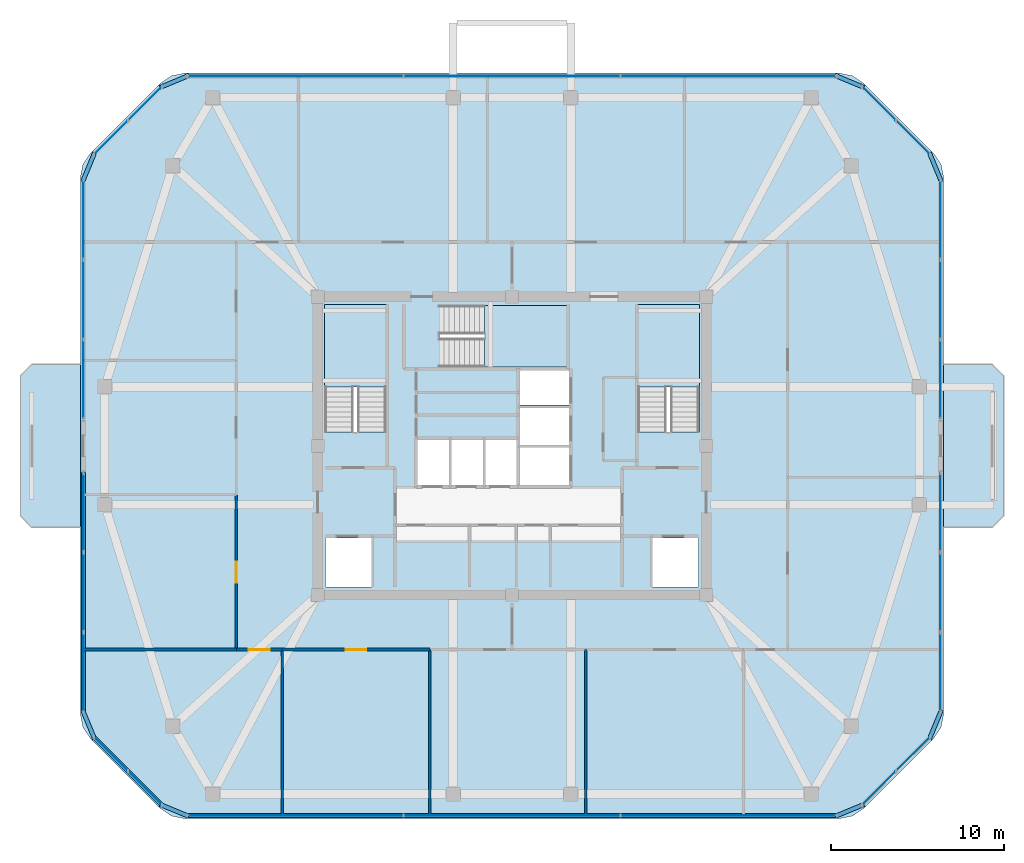
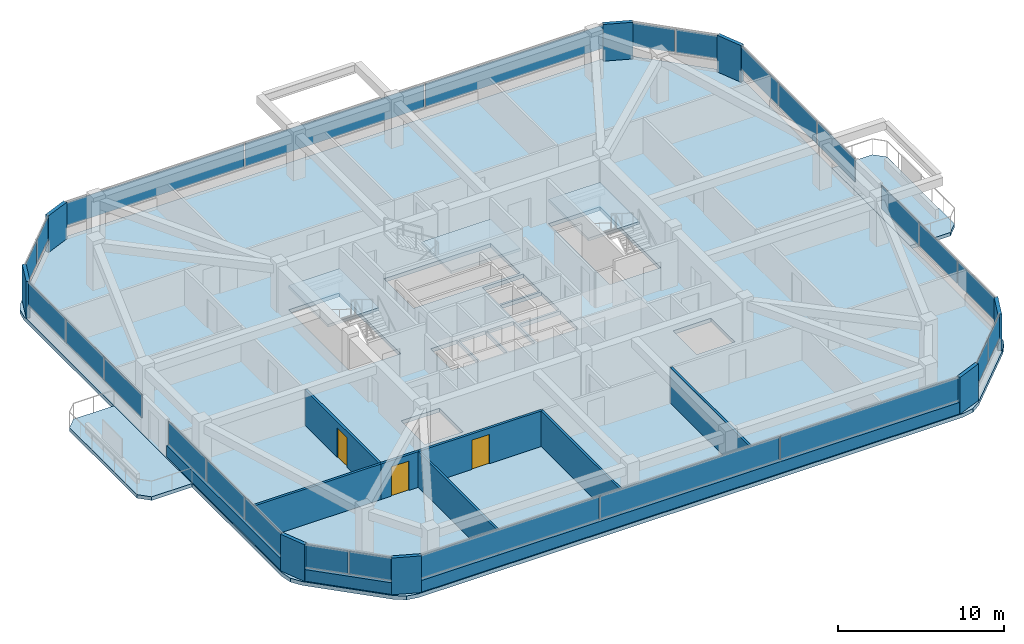
# One storey, part 8 of 13: 34 plates, 10 walls, 6 slabs, 3 doors, 3 openings, 13 elements without a shape of their own.
"""IFC4 building model written with IfcOpenShell, lengths in metres."""

from ifc_helpers import new_model, si_unit, derived_unit, direction, frame, frame_2d, origin, origin_2d, place, context, subcontext, project, spatial, polyline, rectangle, outline, extrude, material, layer, layer_set, type_object, element, fill, aggregate, save


model = new_model("IFC4")

# Units and contexts
model_context = context("Model", 3, precision=1e-05, world=origin(), true_north=direction((0.0, 1.0)))
body_context = subcontext(model_context, "Body", "Model", "MODEL_VIEW")
ifc_project = project(units=[si_unit("LENGTHUNIT", "METRE"), si_unit("AREAUNIT", "SQUARE_METRE"), si_unit("VOLUMEUNIT", "CUBIC_METRE"), si_unit("PLANEANGLEUNIT", "RADIAN"), si_unit("MASSUNIT", "GRAM", prefix="KILO"), derived_unit("THERMALTRANSMITTANCEUNIT", [(si_unit("POWERUNIT", "WATT"), 1), (si_unit("LENGTHUNIT", "METRE"), -2), (si_unit("THERMODYNAMICTEMPERATUREUNIT", "KELVIN"), -1)])], contexts=[model_context])

# Site, building, storey
site_placement = place(None, origin())
site = spatial("IfcSite", under=ifc_project, at=site_placement, CompositionType="ELEMENT")
building_placement = place(site_placement, origin())
building = spatial("IfcBuilding", under=site, at=building_placement, Name="Koralith Skygarden Medical Center", CompositionType="ELEMENT")
storey_placement = place(building_placement, frame((0.0, 0.0, 271.6201171875)))
storey = spatial("IfcBuildingStorey", under=building, at=storey_placement, Name="L70", CompositionType="ELEMENT", Elevation=271.6201171875)

# Curtain wall, plates
ifc_material_1 = material(Name="Clear Laminated Glass", Category="glass")
curtain_wall_type = type_object("IfcCurtainWallType", Name="CW-6 Zone 5 Upper Clinical Curtain Wall", PredefinedType="NOTDEFINED", material=ifc_material_1)
curtain_wall_1_placement = place(storey_placement, origin())
curtain_wall_1 = element("IfcCurtainWall", 1, at=curtain_wall_1_placement, inside=storey, type_object=curtain_wall_type, Name="Curtain Wall CW-L70-S", PredefinedType="NOTDEFINED")
ifc_layer_1 = layer(ifc_material_1, 0.0400390625)
ifc_layer_set_1 = layer_set([ifc_layer_1], Name="Clear Laminated Glass")
plate_type_1 = type_object("IfcPlateType", Name="CW-6 Hurricane Laminated IGU Panel 40", PredefinedType="CURTAIN_PANEL", material=ifc_layer_set_1)
plate_1_placement = place(storey_placement, frame((24.5029296875, 4.580078125, 0.919921875), z_axis=(0.0, 0.0, 1.0), x_axis=(1.0, 0.0, 0.0)))
plate_1 = element("IfcPlate", 2, at=plate_1_placement, type_object=plate_type_1, Name="CW-L70-S Glazed Panel 1", PredefinedType="CURTAIN_PANEL", context=body_context, shape_type="SweptSolid", body=[
    extrude(rectangle(XDim=12.406982421875, YDim=0.0400390625, at=origin_2d()), origin(), (0.0, 0.0, 1.0), 1.699951171875),
])
plate_2_placement = place(storey_placement, frame((37.0, 4.580078125, 0.919921875), z_axis=(0.0, 0.0, 1.0), x_axis=(1.0, 0.0, 0.0)))
plate_2 = element("IfcPlate", 3, at=plate_2_placement, type_object=plate_type_1, Name="CW-L70-S Glazed Panel 2", PredefinedType="CURTAIN_PANEL", context=body_context, shape_type="SweptSolid", body=[
    extrude(rectangle(XDim=12.406982421875, YDim=0.0400390625, at=origin_2d()), origin(), (0.0, 0.0, 1.0), 1.699951171875),
])
plate_3_placement = place(storey_placement, frame((49.4970703125, 4.580078125, 0.919921875), z_axis=(0.0, 0.0, 1.0), x_axis=(1.0, 0.0, 0.0)))
plate_3 = element("IfcPlate", 4, at=plate_3_placement, type_object=plate_type_1, Name="CW-L70-S Glazed Panel 3", PredefinedType="CURTAIN_PANEL", context=body_context, shape_type="SweptSolid", body=[
    extrude(rectangle(XDim=12.406982421875, YDim=0.0400390625, at=origin_2d()), origin(), (0.0, 0.0, 1.0), 1.699951171875),
])
aggregate(curtain_wall_1, [plate_1, plate_2, plate_3])

curtain_wall_2_placement = place(storey_placement, origin())
curtain_wall_2 = element("IfcCurtainWall", 5, at=curtain_wall_2_placement, inside=storey, type_object=curtain_wall_type, Name="Curtain Wall CW-L70-SE", PredefinedType="NOTDEFINED")
plate_4_placement = place(storey_placement, frame((58.177001953125, 6.162109375, 0.919921875), z_axis=(0.0, 0.0, 1.0), x_axis=(0.707106781187, 0.707106781187, 0.0)))
plate_4 = element("IfcPlate", 6, at=plate_4_placement, type_object=plate_type_1, Name="CW-L70-SE Glazed Panel 1", PredefinedType="CURTAIN_PANEL", context=body_context, shape_type="SweptSolid", body=[
    extrude(rectangle(XDim=2.68408203125, YDim=0.0400390625, at=origin_2d()), origin(), (0.0, 0.0, 1.0), 1.699951171875),
])
plate_5_placement = place(storey_placement, frame((60.137939453125, 8.123046875, 0.919921875), z_axis=(0.0, 0.0, 1.0), x_axis=(0.707106781187, 0.707106781187, 0.0)))
plate_5 = element("IfcPlate", 7, at=plate_5_placement, type_object=plate_type_1, Name="CW-L70-SE Glazed Panel 2", PredefinedType="CURTAIN_PANEL", context=body_context, shape_type="SweptSolid", body=[
    extrude(rectangle(XDim=2.68408203125, YDim=0.0400390625, at=origin_2d()), origin(), (0.0, 0.0, 1.0), 1.699951171875),
])
aggregate(curtain_wall_2, [plate_4, plate_5])

curtain_wall_3_placement = place(storey_placement, origin())
curtain_wall_3 = element("IfcCurtainWall", 8, at=curtain_wall_3_placement, inside=storey, type_object=curtain_wall_type, Name="Curtain Wall CW-L70-E-L", PredefinedType="NOTDEFINED")
plate_6_placement = place(storey_placement, frame((61.719970703125, 12.85595703125, 0.919921875), z_axis=(0.0, 0.0, 1.0), x_axis=(0.0, 1.0, 0.0)))
plate_6 = element("IfcPlate", 9, at=plate_6_placement, type_object=plate_type_1, Name="CW-L70-E-L Glazed Panel 1", PredefinedType="CURTAIN_PANEL", context=body_context, shape_type="SweptSolid", body=[
    extrude(rectangle(XDim=4.511962890625, YDim=0.0400390625, at=origin_2d()), origin(), (0.0, 0.0, 1.0), 1.699951171875),
])
plate_7_placement = place(storey_placement, frame((61.719970703125, 17.45703125, 0.919921875), z_axis=(0.0, 0.0, 1.0), x_axis=(0.0, 1.0, 0.0)))
plate_7 = element("IfcPlate", 10, at=plate_7_placement, type_object=plate_type_1, Name="CW-L70-E-L Glazed Panel 2", PredefinedType="CURTAIN_PANEL", context=body_context, shape_type="SweptSolid", body=[
    extrude(rectangle(XDim=4.511962890625, YDim=0.0400390625, at=origin_2d()), origin(), (0.0, 0.0, 1.0), 1.699951171875),
])
plate_8_placement = place(storey_placement, frame((61.719970703125, 22.05908203125, 0.919921875), z_axis=(0.0, 0.0, 1.0), x_axis=(0.0, 1.0, 0.0)))
plate_8 = element("IfcPlate", 11, at=plate_8_placement, type_object=plate_type_1, Name="CW-L70-E-L Glazed Panel 3", PredefinedType="CURTAIN_PANEL", context=body_context, shape_type="SweptSolid", body=[
    extrude(rectangle(XDim=4.511962890625, YDim=0.0400390625, at=origin_2d()), origin(), (0.0, 0.0, 1.0), 1.699951171875),
])
aggregate(curtain_wall_3, [plate_6, plate_7, plate_8])

curtain_wall_4_placement = place(storey_placement, origin())
curtain_wall_4 = element("IfcCurtainWall", 12, at=curtain_wall_4_placement, inside=storey, type_object=curtain_wall_type, Name="Curtain Wall CW-L70-E-R", PredefinedType="NOTDEFINED")
plate_9_placement = place(storey_placement, frame((61.719970703125, 29.740966796875, 0.919921875), z_axis=(0.0, 0.0, 1.0), x_axis=(0.0, 1.0, 0.0)))
plate_9 = element("IfcPlate", 13, at=plate_9_placement, type_object=plate_type_1, Name="CW-L70-E-R Glazed Panel 1", PredefinedType="CURTAIN_PANEL", context=body_context, shape_type="SweptSolid", body=[
    extrude(rectangle(XDim=4.511962890625, YDim=0.0400390625, at=origin_2d()), origin(), (0.0, 0.0, 1.0), 1.699951171875),
])
plate_10_placement = place(storey_placement, frame((61.719970703125, 34.343017578125, 0.919921875), z_axis=(0.0, 0.0, 1.0), x_axis=(0.0, 1.0, 0.0)))
plate_10 = element("IfcPlate", 14, at=plate_10_placement, type_object=plate_type_1, Name="CW-L70-E-R Glazed Panel 2", PredefinedType="CURTAIN_PANEL", context=body_context, shape_type="SweptSolid", body=[
    extrude(rectangle(XDim=4.511962890625, YDim=0.0400390625, at=origin_2d()), origin(), (0.0, 0.0, 1.0), 1.699951171875),
])
plate_11_placement = place(storey_placement, frame((61.719970703125, 38.944091796875, 0.919921875), z_axis=(0.0, 0.0, 1.0), x_axis=(0.0, 1.0, 0.0)))
plate_11 = element("IfcPlate", 15, at=plate_11_placement, type_object=plate_type_1, Name="CW-L70-E-R Glazed Panel 3", PredefinedType="CURTAIN_PANEL", context=body_context, shape_type="SweptSolid", body=[
    extrude(rectangle(XDim=4.511962890625, YDim=0.0400390625, at=origin_2d()), origin(), (0.0, 0.0, 1.0), 1.699951171875),
])
aggregate(curtain_wall_4, [plate_9, plate_10, plate_11])

curtain_wall_5_placement = place(storey_placement, origin())
curtain_wall_5 = element("IfcCurtainWall", 16, at=curtain_wall_5_placement, inside=storey, type_object=curtain_wall_type, Name="Curtain Wall CW-L70-NE", PredefinedType="NOTDEFINED")
plate_12_placement = place(storey_placement, frame((60.137939453125, 43.677001953125, 0.919921875), z_axis=(0.0, 0.0, 1.0), x_axis=(-0.707106781187, 0.707106781187, 0.0)))
plate_12 = element("IfcPlate", 17, at=plate_12_placement, type_object=plate_type_1, Name="CW-L70-NE Glazed Panel 1", PredefinedType="CURTAIN_PANEL", context=body_context, shape_type="SweptSolid", body=[
    extrude(rectangle(XDim=2.68408203125, YDim=0.0400390625, at=origin_2d()), origin(), (0.0, 0.0, 1.0), 1.699951171875),
])
plate_13_placement = place(storey_placement, frame((58.177001953125, 45.637939453125, 0.919921875), z_axis=(0.0, 0.0, 1.0), x_axis=(-0.707106781187, 0.707106781187, 0.0)))
plate_13 = element("IfcPlate", 18, at=plate_13_placement, type_object=plate_type_1, Name="CW-L70-NE Glazed Panel 2", PredefinedType="CURTAIN_PANEL", context=body_context, shape_type="SweptSolid", body=[
    extrude(rectangle(XDim=2.68408203125, YDim=0.0400390625, at=origin_2d()), origin(), (0.0, 0.0, 1.0), 1.699951171875),
])
aggregate(curtain_wall_5, [plate_12, plate_13])

curtain_wall_6_placement = place(storey_placement, origin())
curtain_wall_6 = element("IfcCurtainWall", 19, at=curtain_wall_6_placement, inside=storey, type_object=curtain_wall_type, Name="Curtain Wall CW-L70-N", PredefinedType="NOTDEFINED")
plate_14_placement = place(storey_placement, frame((49.4970703125, 47.219970703125, 0.919921875), z_axis=(0.0, 0.0, 1.0), x_axis=(-1.0, 0.0, 0.0)))
plate_14 = element("IfcPlate", 20, at=plate_14_placement, type_object=plate_type_1, Name="CW-L70-N Glazed Panel 1", PredefinedType="CURTAIN_PANEL", context=body_context, shape_type="SweptSolid", body=[
    extrude(rectangle(XDim=12.406982421875, YDim=0.0400390625, at=origin_2d()), origin(), (0.0, 0.0, 1.0), 1.699951171875),
])
plate_15_placement = place(storey_placement, frame((37.0, 47.219970703125, 0.919921875), z_axis=(0.0, 0.0, 1.0), x_axis=(-1.0, 0.0, 0.0)))
plate_15 = element("IfcPlate", 21, at=plate_15_placement, type_object=plate_type_1, Name="CW-L70-N Glazed Panel 2", PredefinedType="CURTAIN_PANEL", context=body_context, shape_type="SweptSolid", body=[
    extrude(rectangle(XDim=12.406982421875, YDim=0.0400390625, at=origin_2d()), origin(), (0.0, 0.0, 1.0), 1.699951171875),
])
plate_16_placement = place(storey_placement, frame((24.5029296875, 47.219970703125, 0.919921875), z_axis=(0.0, 0.0, 1.0), x_axis=(-1.0, 0.0, 0.0)))
plate_16 = element("IfcPlate", 22, at=plate_16_placement, type_object=plate_type_1, Name="CW-L70-N Glazed Panel 3", PredefinedType="CURTAIN_PANEL", context=body_context, shape_type="SweptSolid", body=[
    extrude(rectangle(XDim=12.406982421875, YDim=0.0400390625, at=origin_2d()), origin(), (0.0, 0.0, 1.0), 1.699951171875),
])
aggregate(curtain_wall_6, [plate_14, plate_15, plate_16])

curtain_wall_7_placement = place(storey_placement, origin())
curtain_wall_7 = element("IfcCurtainWall", 23, at=curtain_wall_7_placement, inside=storey, type_object=curtain_wall_type, Name="Curtain Wall CW-L70-NW", PredefinedType="NOTDEFINED")
plate_17_placement = place(storey_placement, frame((15.822998046875, 45.637939453125, 0.919921875), z_axis=(0.0, 0.0, 1.0), x_axis=(-0.707106781187, -0.707106781187, 0.0)))
plate_17 = element("IfcPlate", 24, at=plate_17_placement, type_object=plate_type_1, Name="CW-L70-NW Glazed Panel 1", PredefinedType="CURTAIN_PANEL", context=body_context, shape_type="SweptSolid", body=[
    extrude(rectangle(XDim=2.68408203125, YDim=0.0400390625, at=origin_2d()), origin(), (0.0, 0.0, 1.0), 1.699951171875),
])
plate_18_placement = place(storey_placement, frame((13.862060546875, 43.677001953125, 0.919921875), z_axis=(0.0, 0.0, 1.0), x_axis=(-0.707106781187, -0.707106781187, 0.0)))
plate_18 = element("IfcPlate", 25, at=plate_18_placement, type_object=plate_type_1, Name="CW-L70-NW Glazed Panel 2", PredefinedType="CURTAIN_PANEL", context=body_context, shape_type="SweptSolid", body=[
    extrude(rectangle(XDim=2.68408203125, YDim=0.0400390625, at=origin_2d()), origin(), (0.0, 0.0, 1.0), 1.699951171875),
])
aggregate(curtain_wall_7, [plate_17, plate_18])

curtain_wall_8_placement = place(storey_placement, origin())
curtain_wall_8 = element("IfcCurtainWall", 26, at=curtain_wall_8_placement, inside=storey, type_object=curtain_wall_type, Name="Curtain Wall CW-L70-W-L", PredefinedType="NOTDEFINED")
plate_19_placement = place(storey_placement, frame((12.280029296875, 38.944091796875, 0.919921875), z_axis=(0.0, 0.0, 1.0), x_axis=(0.0, -1.0, 0.0)))
plate_19 = element("IfcPlate", 27, at=plate_19_placement, type_object=plate_type_1, Name="CW-L70-W-L Glazed Panel 1", PredefinedType="CURTAIN_PANEL", context=body_context, shape_type="SweptSolid", body=[
    extrude(rectangle(XDim=4.511962890625, YDim=0.0400390625, at=origin_2d()), origin(), (0.0, 0.0, 1.0), 1.699951171875),
])
plate_20_placement = place(storey_placement, frame((12.280029296875, 34.343017578125, 0.919921875), z_axis=(0.0, 0.0, 1.0), x_axis=(0.0, -1.0, 0.0)))
plate_20 = element("IfcPlate", 28, at=plate_20_placement, type_object=plate_type_1, Name="CW-L70-W-L Glazed Panel 2", PredefinedType="CURTAIN_PANEL", context=body_context, shape_type="SweptSolid", body=[
    extrude(rectangle(XDim=4.511962890625, YDim=0.0400390625, at=origin_2d()), origin(), (0.0, 0.0, 1.0), 1.699951171875),
])
plate_21_placement = place(storey_placement, frame((12.280029296875, 29.740966796875, 0.919921875), z_axis=(0.0, 0.0, 1.0), x_axis=(0.0, -1.0, 0.0)))
plate_21 = element("IfcPlate", 29, at=plate_21_placement, type_object=plate_type_1, Name="CW-L70-W-L Glazed Panel 3", PredefinedType="CURTAIN_PANEL", context=body_context, shape_type="SweptSolid", body=[
    extrude(rectangle(XDim=4.511962890625, YDim=0.0400390625, at=origin_2d()), origin(), (0.0, 0.0, 1.0), 1.699951171875),
])
aggregate(curtain_wall_8, [plate_19, plate_20, plate_21])

curtain_wall_9_placement = place(storey_placement, origin())
curtain_wall_9 = element("IfcCurtainWall", 30, at=curtain_wall_9_placement, inside=storey, type_object=curtain_wall_type, Name="Curtain Wall CW-L70-W-R", PredefinedType="NOTDEFINED")
plate_22_placement = place(storey_placement, frame((12.280029296875, 22.05908203125, 0.919921875), z_axis=(0.0, 0.0, 1.0), x_axis=(0.0, -1.0, 0.0)))
plate_22 = element("IfcPlate", 31, at=plate_22_placement, type_object=plate_type_1, Name="CW-L70-W-R Glazed Panel 1", PredefinedType="CURTAIN_PANEL", context=body_context, shape_type="SweptSolid", body=[
    extrude(rectangle(XDim=4.511962890625, YDim=0.0400390625, at=origin_2d()), origin(), (0.0, 0.0, 1.0), 1.699951171875),
])
plate_23_placement = place(storey_placement, frame((12.280029296875, 17.45703125, 0.919921875), z_axis=(0.0, 0.0, 1.0), x_axis=(0.0, -1.0, 0.0)))
plate_23 = element("IfcPlate", 32, at=plate_23_placement, type_object=plate_type_1, Name="CW-L70-W-R Glazed Panel 2", PredefinedType="CURTAIN_PANEL", context=body_context, shape_type="SweptSolid", body=[
    extrude(rectangle(XDim=4.511962890625, YDim=0.0400390625, at=origin_2d()), origin(), (0.0, 0.0, 1.0), 1.699951171875),
])
plate_24_placement = place(storey_placement, frame((12.280029296875, 12.85595703125, 0.919921875), z_axis=(0.0, 0.0, 1.0), x_axis=(0.0, -1.0, 0.0)))
plate_24 = element("IfcPlate", 33, at=plate_24_placement, type_object=plate_type_1, Name="CW-L70-W-R Glazed Panel 3", PredefinedType="CURTAIN_PANEL", context=body_context, shape_type="SweptSolid", body=[
    extrude(rectangle(XDim=4.511962890625, YDim=0.0400390625, at=origin_2d()), origin(), (0.0, 0.0, 1.0), 1.699951171875),
])
aggregate(curtain_wall_9, [plate_22, plate_23, plate_24])

curtain_wall_10_placement = place(storey_placement, origin())
curtain_wall_10 = element("IfcCurtainWall", 34, at=curtain_wall_10_placement, inside=storey, type_object=curtain_wall_type, Name="Curtain Wall CW-L70-SW", PredefinedType="NOTDEFINED")
plate_25_placement = place(storey_placement, frame((13.862060546875, 8.123046875, 0.919921875), z_axis=(0.0, 0.0, 1.0), x_axis=(0.707106781187, -0.707106781187, 0.0)))
plate_25 = element("IfcPlate", 35, at=plate_25_placement, type_object=plate_type_1, Name="CW-L70-SW Glazed Panel 1", PredefinedType="CURTAIN_PANEL", context=body_context, shape_type="SweptSolid", body=[
    extrude(rectangle(XDim=2.68408203125, YDim=0.0400390625, at=origin_2d()), origin(), (0.0, 0.0, 1.0), 1.699951171875),
])
plate_26_placement = place(storey_placement, frame((15.822998046875, 6.162109375, 0.919921875), z_axis=(0.0, 0.0, 1.0), x_axis=(0.707106781187, -0.707106781187, 0.0)))
plate_26 = element("IfcPlate", 36, at=plate_26_placement, type_object=plate_type_1, Name="CW-L70-SW Glazed Panel 2", PredefinedType="CURTAIN_PANEL", context=body_context, shape_type="SweptSolid", body=[
    extrude(rectangle(XDim=2.68408203125, YDim=0.0400390625, at=origin_2d()), origin(), (0.0, 0.0, 1.0), 1.699951171875),
])
aggregate(curtain_wall_10, [plate_25, plate_26])

# Slabs
ifc_material_2 = material(Name="Concrete C45/55", Category="concrete")
ifc_layer_2 = layer(ifc_material_2, 0.260009765625)
ifc_layer_set_2 = layer_set([ifc_layer_2], Name="Concrete C45/55")
slab_type_1 = type_object("IfcSlabType", Name="Cantilevered Planted Balcony Slab 260", PredefinedType="FLOOR", material=ifc_layer_set_2)
slab_1_placement = place(storey_placement, frame((0.0, 0.0, -0.260009765625)))
element("IfcSlab", 37, at=slab_1_placement, inside=storey, type_object=slab_type_1, Name="L70 E Planted Sky-Garden Balcony Slab", PredefinedType="FLOOR", context=body_context, shape_type="SweptSolid", body=[
    extrude(outline(polyline([(61.89990234375, 21.199951171875), (64.699951171875, 21.199951171875), (65.35009765625, 21.85009765625), (65.35009765625, 29.949951171875), (64.699951171875, 30.60009765625), (61.89990234375, 30.60009765625), (61.89990234375, 21.199951171875)])), origin(), (0.0, 0.0, 1.0), 0.260009765625),
])
slab_2_placement = place(storey_placement, frame((0.0, 0.0, -0.260009765625)))
element("IfcSlab", 38, at=slab_2_placement, inside=storey, type_object=slab_type_1, Name="L70 W Planted Sky-Garden Balcony Slab", PredefinedType="FLOOR", context=body_context, shape_type="SweptSolid", body=[
    extrude(outline(polyline([(9.300048828125, 21.199951171875), (12.10009765625, 21.199951171875), (12.10009765625, 30.60009765625), (9.300048828125, 30.60009765625), (8.64990234375, 29.949951171875), (8.64990234375, 21.85009765625), (9.300048828125, 21.199951171875)])), origin(), (0.0, 0.0, 1.0), 0.260009765625),
])

# Stair, slab
stair_type = type_object("IfcStairType", Name="Core Exit Dogleg Concrete Stair", PredefinedType="HALF_TURN_STAIR", material=ifc_material_2)
stair_1_placement = place(storey_placement, origin())
stair_1 = element("IfcStair", 39, at=stair_1_placement, inside=storey, type_object=stair_type, Name="L70 Smokeproof Exit Stair ST1", PredefinedType="HALF_TURN_STAIR")
ifc_layer_3 = layer(ifc_material_2, 0.199951171875)
ifc_layer_set_3 = layer_set([ifc_layer_3], Name="Concrete C45/55")
slab_type_2 = type_object("IfcSlabType", Name="Core Exit Concrete Stair Landing 200", PredefinedType="LANDING", material=ifc_layer_set_3)
slab_3_placement = place(storey_placement, frame((0.0, 0.0, 1.599853515625)))
slab_3 = element("IfcSlab", 40, at=slab_3_placement, type_object=slab_type_2, Name="ST1 landing 1", PredefinedType="LANDING", context=body_context, shape_type="SweptSolid", body=[
    extrude(outline(polyline([(29.75, 29.31005859375), (29.75, 34.050048828125), (26.199951171875, 34.050048828125), (26.199951171875, 29.31005859375), (29.75, 29.31005859375)])), origin(), (0.0, 0.0, 1.0), 0.199951171875),
])
aggregate(stair_1, [slab_3])

stair_2_placement = place(storey_placement, origin())
stair_2 = element("IfcStair", 41, at=stair_2_placement, inside=storey, type_object=stair_type, Name="L70 Smokeproof Exit Stair ST2", PredefinedType="HALF_TURN_STAIR")
slab_4_placement = place(storey_placement, frame((0.0, 0.0, 1.599853515625)))
slab_4 = element("IfcSlab", 42, at=slab_4_placement, type_object=slab_type_2, Name="ST2 landing 1", PredefinedType="LANDING", context=body_context, shape_type="SweptSolid", body=[
    extrude(outline(polyline([(47.800048828125, 29.31005859375), (47.800048828125, 34.050048828125), (44.25, 34.050048828125), (44.25, 29.31005859375), (47.800048828125, 29.31005859375)])), origin(), (0.0, 0.0, 1.0), 0.199951171875),
])
aggregate(stair_2, [slab_4])

stair_3_placement = place(storey_placement, origin())
stair_3 = element("IfcStair", 43, at=stair_3_placement, inside=storey, type_object=stair_type, Name="L70 Smokeproof Exit Stair ST3", PredefinedType="HALF_TURN_STAIR")
slab_5_placement = place(storey_placement, frame((0.0, 0.0, 1.599853515625)))
slab_5 = element("IfcSlab", 44, at=slab_5_placement, type_object=slab_type_2, Name="ST3 landing 1", PredefinedType="LANDING", context=body_context, shape_type="SweptSolid", body=[
    extrude(outline(polyline([(35.409912109375, 30.449951171875), (40.199951171875, 30.449951171875), (40.199951171875, 34.0), (35.409912109375, 34.0), (35.409912109375, 30.449951171875)])), origin(), (0.0, 0.0, 1.0), 0.199951171875),
])
aggregate(stair_3, [slab_5])

# Slab
ifc_layer_4 = layer(ifc_material_2, 0.280029296875)
ifc_layer_set_4 = layer_set([ifc_layer_4], Name="Concrete C45/55")
slab_type_3 = type_object("IfcSlabType", Name="Post-Tensioned Ward Floor Plate 280", PredefinedType="FLOOR", material=ifc_layer_set_4)
slab_6_placement = place(storey_placement, frame((0.0, 0.0, -0.280029296875)))
element("IfcSlab", 45, at=slab_6_placement, inside=storey, type_object=slab_type_3, Name="Level L70 Structural Floor Slab", PredefinedType="FLOOR", context=body_context, shape_type="SweptSolid", body=[
    extrude(outline(polyline([(16.714111328125, 4.986083984375), (17.363037109375, 4.552001953125), (18.1279296875, 4.39990234375), (55.8720703125, 4.39990234375), (56.636962890625, 4.552001953125), (57.285888671875, 4.986083984375), (61.31396484375, 9.013916015625), (61.748046875, 9.6630859375), (61.89990234375, 10.427978515625), (61.89990234375, 41.3720703125), (61.748046875, 42.136962890625), (61.31396484375, 42.785888671875), (57.285888671875, 46.81396484375), (56.636962890625, 47.248046875), (55.8720703125, 47.39990234375), (18.1279296875, 47.39990234375), (17.363037109375, 47.248046875), (16.714111328125, 46.81396484375), (12.68603515625, 42.785888671875), (12.251953125, 42.136962890625), (12.10009765625, 41.3720703125), (12.10009765625, 10.427978515625), (12.251953125, 9.6630859375), (12.68603515625, 9.013916015625), (16.714111328125, 4.986083984375)]), holes=[polyline([(26.199951171875, 26.705078125), (29.75, 26.705078125), (29.75, 34.050048828125), (26.199951171875, 34.050048828125), (26.199951171875, 26.705078125)]), polyline([(44.25, 26.705078125), (47.800048828125, 26.705078125), (47.800048828125, 34.050048828125), (44.25, 34.050048828125), (44.25, 26.705078125)]), polyline([(32.804931640625, 30.449951171875), (40.199951171875, 30.449951171875), (40.199951171875, 34.0), (32.804931640625, 34.0), (32.804931640625, 30.449951171875)]), polyline([(26.25, 17.75), (28.89990234375, 17.75), (28.89990234375, 20.60009765625), (26.25, 20.60009765625), (26.25, 17.75)]), polyline([(45.10009765625, 17.75), (47.75, 17.75), (47.75, 20.60009765625), (45.10009765625, 20.60009765625), (45.10009765625, 17.75)]), polyline([(31.550048828125, 23.64990234375), (33.39990234375, 23.64990234375), (33.39990234375, 26.25), (31.550048828125, 26.25), (31.550048828125, 23.64990234375)]), polyline([(33.5, 23.64990234375), (35.35009765625, 23.64990234375), (35.35009765625, 26.25), (33.5, 26.25), (33.5, 23.64990234375)]), polyline([(35.449951171875, 23.64990234375), (37.300048828125, 23.64990234375), (37.300048828125, 26.25), (35.449951171875, 26.25), (35.449951171875, 23.64990234375)]), polyline([(37.449951171875, 23.64990234375), (40.300048828125, 23.64990234375), (40.300048828125, 25.800048828125), (37.449951171875, 25.800048828125), (37.449951171875, 23.64990234375)]), polyline([(37.449951171875, 25.949951171875), (40.300048828125, 25.949951171875), (40.300048828125, 28.10009765625), (37.449951171875, 28.10009765625), (37.449951171875, 25.949951171875)]), polyline([(37.449951171875, 28.25), (40.300048828125, 28.25), (40.300048828125, 30.25), (37.449951171875, 30.25), (37.449951171875, 28.25)])]), origin(), (0.0, 0.0, 1.0), 0.280029296875),
])

# Plates
ifc_material_3 = material(Name="Warm Oolitic Limestone Cladding", Category="masonry")
ifc_layer_5 = layer(ifc_material_3, 0.239990234375)
ifc_layer_set_5 = layer_set([ifc_layer_5], Name="Warm Oolitic Limestone Cladding")
plate_type_2 = type_object("IfcPlateType", Name="Rounded-Corner Oolitic Limestone Cladding Panel 240", PredefinedType="USERDEFINED", material=ifc_layer_set_5)
for number, where, z_axis, x_axis, name in (
    (46, (56.470947265625, 4.8798828125, 0.0), (0.0, 0.0, 1.0), (0.92388487569, 0.382670532536, 0.0), "L70 Rounded-Corner Limestone Pier 1"),
    (47, (61.4189453125, 9.8291015625, 0.0), (0.0, 0.0, 1.0), (0.382670532536, 0.92388487569, 0.0), "L70 Rounded-Corner Limestone Pier 2"),
    (48, (61.4189453125, 41.970947265625, 0.0), (0.0, 0.0, 1.0), (-0.382670532536, 0.92388487569, 0.0), "L70 Rounded-Corner Limestone Pier 3"),
    (49, (56.470947265625, 46.9189453125, 0.0), (0.0, 0.0, 1.0), (-0.92388487569, 0.382670532536, 0.0), "L70 Rounded-Corner Limestone Pier 4"),
    (50, (17.529052734375, 46.9189453125, 0.0), (0.0, 0.0, 1.0), (-0.92388487569, -0.382670532536, 0.0), "L70 Rounded-Corner Limestone Pier 5"),
    (51, (12.5810546875, 41.970947265625, 0.0), (0.0, 0.0, 1.0), (-0.382670532536, -0.92388487569, 0.0), "L70 Rounded-Corner Limestone Pier 6"),
    (52, (12.5810546875, 9.8291015625, 0.0), (0.0, 0.0, 1.0), (0.382670532536, -0.92388487569, 0.0), "L70 Rounded-Corner Limestone Pier 7"),
    (53, (17.529052734375, 4.8798828125, 0.0), (0.0, 0.0, 1.0), (0.92388487569, -0.382670532536, 0.0), "L70 Rounded-Corner Limestone Pier 8"),
):
    element("IfcPlate", number, at=place(storey_placement, frame(where, z_axis=z_axis, x_axis=x_axis)), inside=storey, type_object=plate_type_2, Name=name, ObjectType="LIMESTONE CLADDING", PredefinedType="USERDEFINED", context=body_context, shape_type="SweptSolid", body=[
        extrude(rectangle(XDim=1.81103515625, YDim=0.239990234375, at=origin_2d()), origin(), (0.0, 0.0, 1.0), 2.68994140625),
    ])

# Walls
ifc_material_4 = material(Name="Gypsum Board Partition")
ifc_layer_6 = layer(ifc_material_4, 0.14990234375)
ifc_layer_set_6 = layer_set([ifc_layer_6], Name="Gypsum Board Partition")
wall_type_1 = type_object("IfcWallType", Name="Clinical Acoustic Partition 150", PredefinedType="PARTITIONING", material=ifc_layer_set_6)
for number, where, z_axis, x_axis, name in (
    (54, (23.739013671875, 14.14990234375, 0.0), (0.0, 0.0, 1.0), (0.0, -1.0, 0.0), "L70 Clinical Acoustic Partition 150 W-PART-L70-S-01"),
    (55, (32.263916015625, 14.14990234375, 0.0), (0.0, 0.0, 1.0), (0.0, -1.0, 0.0), "L70 Clinical Acoustic Partition 150 W-PART-L70-S-02"),
    (56, (41.261962890625, 14.14990234375, 0.0), (0.0, 0.0, 1.0), (0.0, -1.0, 0.0), "L70 Clinical Acoustic Partition 150 W-PART-L70-S-03"),
):
    element("IfcWall", number, at=place(storey_placement, frame(where, z_axis=z_axis, x_axis=x_axis)), inside=storey, type_object=wall_type_1, Name=name, PredefinedType="PARTITIONING", context=body_context, shape_type="SweptSolid", body=[
        extrude(rectangle(XDim=9.5498046875, YDim=0.14990234375, at=frame_2d((4.77490234375, 0.0))), origin(), (0.0, 0.0, 1.0), 2.60986328125),
    ])
ifc_layer_7 = layer(ifc_material_4, 0.1650390625)
ifc_layer_set_7 = layer_set([ifc_layer_7], Name="Gypsum Board Partition")
wall_type_2 = type_object("IfcWallType", Name="Clinical Corridor Partition 165", PredefinedType="PARTITIONING", material=ifc_layer_set_7)
wall_1_placement = place(storey_placement, frame((12.300048828125, 14.14990234375, 0.0), z_axis=(0.0, 0.0, 1.0), x_axis=(1.0, 0.0, 0.0)))
element("IfcWall", 57, at=wall_1_placement, inside=storey, type_object=wall_type_2, Name="L70 Clinical Corridor Partition 165 W-WB-L70-SW", PredefinedType="PARTITIONING", context=body_context, shape_type="SweptSolid", body=[
    extrude(rectangle(XDim=8.800048828125, YDim=0.1650390625, at=frame_2d((4.39990234375, 0.0))), origin(), (0.0, 0.0, 1.0), 2.60986328125),
])

# Wall, opening, door
wall_2_placement = place(storey_placement, frame((21.10009765625, 14.14990234375, 0.0), z_axis=(0.0, 0.0, 1.0), x_axis=(1.0, 0.0, 0.0)))
wall_2 = element("IfcWall", 58, at=wall_2_placement, inside=storey, type_object=wall_type_2, Name="L70 Clinical Corridor Partition 165 W-CORR-L70-S-01", PredefinedType="PARTITIONING", context=body_context, shape_type="SweptSolid", body=[
    extrude(rectangle(XDim=2.638916015625, YDim=0.1650390625, at=frame_2d((1.3193359375, 0.0))), origin(), (0.0, 0.0, 1.0), 2.60986328125),
])
opening_1_placement = place(wall_2_placement, frame((0.718994140625, 0.0, 0.0)))
opening_1 = element("IfcOpeningElement", 59, at=opening_1_placement, cuts=wall_2, Name="Opening D-CLN", PredefinedType="OPENING", context=body_context, shape_type="SweptSolid", body=[
    extrude(rectangle(XDim=1.199951171875, YDim=2.14990234375, at=frame_2d((0.60009765625, 1.074951171875))), frame((0.0, 0.092529296875, 0.0), z_axis=(0.0, -1.0, 0.0), x_axis=(1.0, 0.0, 0.0)), (0.0, 0.0, 1.0), 0.18505859375),
])
ifc_material_5 = material(Name="Aluminium 6063-T6", Category="aluminium")
door_type = type_object("IfcDoorType", Name="Clinical Corridor Door D-CLN 1200", OperationType="NOTDEFINED", PredefinedType="DOOR", material=ifc_material_5)
door_1_placement = place(opening_1_placement, frame((1.199951171875, 0.0, 0.0), z_axis=(0.0, 0.0, 1.0), x_axis=(-1.0, 0.0, 0.0)))
door_1 = element("IfcDoor", 60, at=door_1_placement, inside=storey, type_object=door_type, Name="L70 Pulmonary Rehab Exercise Hall 05 Door", OperationType="SINGLE_SWING_RIGHT", OverallHeight=2.14990234375, OverallWidth=1.199951171875, PredefinedType="DOOR", context=body_context, shape_type="SweptSolid", body=[
    extrude(rectangle(XDim=1.199951171875, YDim=2.14990234375, at=frame_2d((0.60009765625, 1.074951171875))), frame((0.0, 0.02490234375, 0.0), z_axis=(0.0, -1.0, 0.0), x_axis=(1.0, 0.0, 0.0)), (0.0, 0.0, 1.0), 0.050048828125),
])
fill(opening_1, door_1)

wall_3_placement = place(storey_placement, frame((23.739013671875, 14.14990234375, 0.0), z_axis=(0.0, 0.0, 1.0), x_axis=(1.0, 0.0, 0.0)))
wall_3 = element("IfcWall", 61, at=wall_3_placement, inside=storey, type_object=wall_type_2, Name="L70 Clinical Corridor Partition 165 W-CORR-L70-S-02", PredefinedType="PARTITIONING", context=body_context, shape_type="SweptSolid", body=[
    extrude(rectangle(XDim=8.52490234375, YDim=0.1650390625, at=frame_2d((4.262451171875, 0.0))), origin(), (0.0, 0.0, 1.0), 2.60986328125),
])
opening_2_placement = place(wall_3_placement, frame((3.6630859375, 0.0, 0.0)))
opening_2 = element("IfcOpeningElement", 62, at=opening_2_placement, cuts=wall_3, Name="Opening D-CLN", PredefinedType="OPENING", context=body_context, shape_type="SweptSolid", body=[
    extrude(rectangle(XDim=1.199951171875, YDim=2.14990234375, at=frame_2d((0.60009765625, 1.074951171875))), frame((0.0, 0.092529296875, 0.0), z_axis=(0.0, -1.0, 0.0), x_axis=(1.0, 0.0, 0.0)), (0.0, 0.0, 1.0), 0.18505859375),
])
door_2_placement = place(opening_2_placement, frame((1.199951171875, 0.0, 0.0), z_axis=(0.0, 0.0, 1.0), x_axis=(-1.0, 0.0, 0.0)))
door_2 = element("IfcDoor", 63, at=door_2_placement, inside=storey, type_object=door_type, Name="L70 Patient Smoothie Pantry 06 Door", OperationType="SINGLE_SWING_LEFT", OverallHeight=2.14990234375, OverallWidth=1.199951171875, PredefinedType="DOOR", context=body_context, shape_type="SweptSolid", body=[
    extrude(rectangle(XDim=1.199951171875, YDim=2.14990234375, at=frame_2d((0.60009765625, 1.074951171875))), frame((0.0, 0.02490234375, 0.0), z_axis=(0.0, -1.0, 0.0), x_axis=(1.0, 0.0, 0.0)), (0.0, 0.0, 1.0), 0.050048828125),
])
fill(opening_2, door_2)

wall_4_placement = place(storey_placement, frame((21.10009765625, 14.14990234375, 0.0), z_axis=(0.0, 0.0, 1.0), x_axis=(0.0, 1.0, 0.0)))
wall_4 = element("IfcWall", 64, at=wall_4_placement, inside=storey, type_object=wall_type_2, Name="L70 Clinical Corridor Partition 165 W-CORR-L70-W-01", PredefinedType="PARTITIONING", context=body_context, shape_type="SweptSolid", body=[
    extrude(rectangle(XDim=8.93017578125, YDim=0.1650390625, at=frame_2d((4.465087890625, 0.0))), origin(), (0.0, 0.0, 1.0), 2.60986328125),
])
opening_3_placement = place(wall_4_placement, frame((3.864990234375, 0.0, 0.0)))
opening_3 = element("IfcOpeningElement", 65, at=opening_3_placement, cuts=wall_4, Name="Opening D-CLN", PredefinedType="OPENING", context=body_context, shape_type="SweptSolid", body=[
    extrude(rectangle(XDim=1.199951171875, YDim=2.14990234375, at=frame_2d((0.60009765625, 1.074951171875))), frame((0.0, 0.092529296875, 0.0), z_axis=(0.0, -1.0, 0.0), x_axis=(1.0, 0.0, 0.0)), (0.0, 0.0, 1.0), 0.18505859375),
])
door_3_placement = place(opening_3_placement, frame((1.199951171875, 0.0, 0.0), z_axis=(0.0, 0.0, 1.0), x_axis=(-1.0, 0.0, 0.0)))
door_3 = element("IfcDoor", 66, at=door_3_placement, inside=storey, type_object=door_type, Name="L70 Patient Smoothie Pantry 10 Door", OperationType="SINGLE_SWING_LEFT", OverallHeight=2.14990234375, OverallWidth=1.199951171875, PredefinedType="DOOR", context=body_context, shape_type="SweptSolid", body=[
    extrude(rectangle(XDim=1.199951171875, YDim=2.14990234375, at=frame_2d((0.60009765625, 1.074951171875))), frame((0.0, 0.02490234375, 0.0), z_axis=(0.0, -1.0, 0.0), x_axis=(1.0, 0.0, 0.0)), (0.0, 0.0, 1.0), 0.050048828125),
])
fill(opening_3, door_3)

# Walls
ifc_layer_8 = layer(ifc_material_3, 0.239990234375)
ifc_layer_set_8 = layer_set([ifc_layer_8], Name="Warm Oolitic Limestone Cladding")
wall_type_3 = type_object("IfcWallType", Name="Limestone Spandrel Sill Backup Wall 240", PredefinedType="SOLIDWALL", material=ifc_layer_set_8)
wall_5_placement = place(storey_placement, frame((18.2548828125, 4.580078125, 0.0), z_axis=(0.0, 0.0, 1.0), x_axis=(1.0, 0.0, 0.0)))
element("IfcWall", 67, at=wall_5_placement, inside=storey, type_object=wall_type_3, Name="L70 Sill Spandrel S", PredefinedType="SOLIDWALL", context=body_context, shape_type="SweptSolid", body=[
    extrude(rectangle(XDim=37.490234375, YDim=0.239990234375, at=frame_2d((18.7451171875, 0.0))), origin(), (0.0, 0.0, 1.0), 0.849853515625),
])
wall_6_placement = place(storey_placement, frame((12.280029296875, 24.360107421875, 0.0), z_axis=(0.0, 0.0, 1.0), x_axis=(0.0, -1.0, 0.0)))
element("IfcWall", 68, at=wall_6_placement, inside=storey, type_object=wall_type_3, Name="L70 Sill Spandrel W-R", PredefinedType="SOLIDWALL", context=body_context, shape_type="SweptSolid", body=[
    extrude(rectangle(XDim=13.80517578125, YDim=0.239990234375, at=frame_2d((6.902587890625, 0.0))), origin(), (0.0, 0.0, 1.0), 0.849853515625),
])
wall_7_placement = place(storey_placement, frame((12.881103515625, 9.10400390625, 0.0), z_axis=(0.0, 0.0, 1.0), x_axis=(0.707084777957, -0.707128783731, 0.0)))
element("IfcWall", 69, at=wall_7_placement, inside=storey, type_object=wall_type_3, Name="L70 Sill Spandrel SW", PredefinedType="SOLIDWALL", context=body_context, shape_type="SweptSolid", body=[
    extrude(rectangle(XDim=5.5478515625, YDim=0.239990234375, at=frame_2d((2.77392578125, 0.0))), origin(), (0.0, 0.0, 1.0), 0.849853515625),
])

save(model, "model.ifc")
